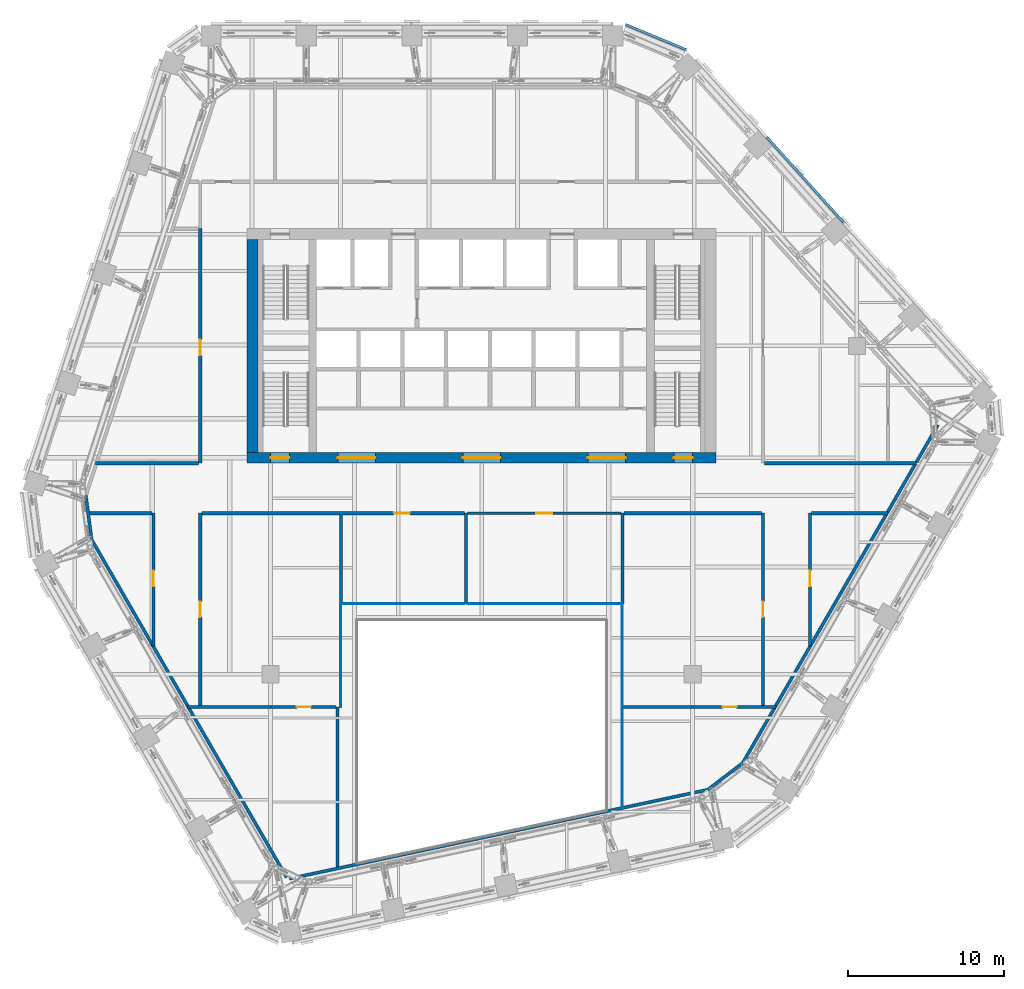
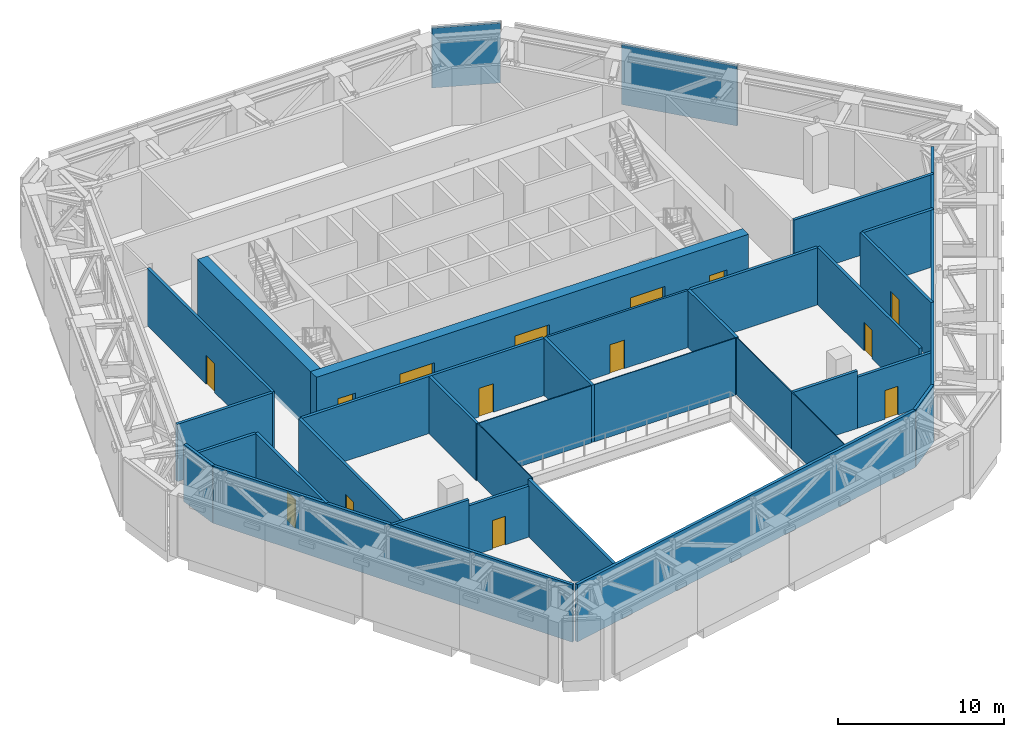
# One storey, part 16 of 26: 32 walls, 14 doors, 2 plates, 14 openings, 2 elements without a shape of their own.
"""IFC4 building model written with IfcOpenShell, lengths in metres."""

from ifc_helpers import new_model, si_unit, direction, frame, frame_2d, origin, origin_2d, place, context, subcontext, project, spatial, rectangle, extrude, material, layer, layer_set, type_object, element, fill, aggregate, save


model = new_model("IFC4")

# Units and contexts
model_context = context("Model", 3, precision=1e-05, world=origin(), true_north=direction((0.0, 1.0)))
body_context = subcontext(model_context, "Body", "Model", "MODEL_VIEW")
ifc_project = project(units=[si_unit("LENGTHUNIT", "METRE"), si_unit("AREAUNIT", "SQUARE_METRE"), si_unit("VOLUMEUNIT", "CUBIC_METRE"), si_unit("PLANEANGLEUNIT", "RADIAN"), si_unit("MASSUNIT", "GRAM", prefix="KILO")], contexts=[model_context])

# Site, building, storey
site_placement = place(None, origin())
site = spatial("IfcSite", under=ifc_project, at=site_placement, CompositionType="ELEMENT")
building_placement = place(site_placement, origin())
building = spatial("IfcBuilding", under=site, at=building_placement, Name="Isthmus Gate Tower", CompositionType="ELEMENT")
storey_placement = place(building_placement, frame((0.0, 0.0, 207.300048828125)))
storey = spatial("IfcBuildingStorey", under=building, at=storey_placement, Name="L52", CompositionType="ELEMENT", Elevation=207.300048828125)

# Curtain wall, plate
ifc_material_1 = material(Name="Aluminium, pale champagne anodised", Category="aluminium")
ifc_layer_1 = layer(ifc_material_1, 0.199951171875)
ifc_layer_set_1 = layer_set([ifc_layer_1], Name="CW-2 LOUVRE CURTAIN WALL 200 DEEP")
curtain_wall_type = type_object("IfcCurtainWallType", Name="CW-2 LOUVRE CURTAIN WALL 200 DEEP", PredefinedType="NOTDEFINED", material=ifc_layer_set_1)
curtain_wall_1_placement = place(storey_placement, origin())
curtain_wall_1 = element("IfcCurtainWall", 1, at=curtain_wall_1_placement, inside=storey, type_object=curtain_wall_type, Name="CW-2 NE L52", PredefinedType="NOTDEFINED")
ifc_material_2 = material(Name="Aluminium louvre blades, pale champagne anodised", Category="aluminium")
ifc_layer_2 = layer(ifc_material_2, 0.159912109375)
ifc_layer_set_2 = layer_set([ifc_layer_2], Name="CW-2 LOUVRE PANEL 160")
plate_type = type_object("IfcPlateType", Name="CW-2 LOUVRE PANEL 160", PredefinedType="CURTAIN_PANEL", material=ifc_layer_set_2)
plate_1_placement = place(storey_placement, frame((20.68896484375, 18.1328125, 0.0), z_axis=(0.0, 0.0, 1.0), x_axis=(-0.669130606359, 0.743144825477, 0.0)))
plate_1 = element("IfcPlate", 2, at=plate_1_placement, type_object=plate_type, Name="CW-2 louvre panel", PredefinedType="CURTAIN_PANEL", context=body_context, shape_type="SweptSolid", body=[
    extrude(rectangle(XDim=7.330810546875, YDim=0.159912109375, at=origin_2d()), origin(), (0.0, 0.0, 1.0), 4.389892578125),
])
aggregate(curtain_wall_1, [plate_1])

curtain_wall_2_placement = place(storey_placement, origin())
curtain_wall_2 = element("IfcCurtainWall", 3, at=curtain_wall_2_placement, inside=storey, type_object=curtain_wall_type, Name="CW-2 NE-N L52", PredefinedType="NOTDEFINED")
plate_2_placement = place(storey_placement, frame((11.13037109375, 27.26025390625, 0.0), z_axis=(0.0, 0.0, 1.0), x_axis=(-0.923353128387, 0.383951820282, 0.0)))
plate_2 = element("IfcPlate", 4, at=plate_2_placement, type_object=plate_type, Name="CW-2 louvre panel", PredefinedType="CURTAIN_PANEL", context=body_context, shape_type="SweptSolid", body=[
    extrude(rectangle(XDim=4.181396484375, YDim=0.159912109375, at=origin_2d()), origin(), (0.0, 0.0, 1.0), 4.389892578125),
])
aggregate(curtain_wall_2, [plate_2])

# Wall
ifc_material_3 = material(Name="Concrete f'c 30 MPa", Category="concrete")
ifc_layer_3 = layer(ifc_material_3, 0.199951171875)
ifc_layer_set_3 = layer_set([ifc_layer_3], Name="Fire-rated block wall 200")
wall_type_1 = type_object("IfcWallType", Name="Fire-rated block wall 200", PredefinedType="PARTITIONING", material=ifc_layer_set_3)
wall_1_placement = place(storey_placement, frame((-18.818359375, -15.60009765625, 0.0), z_axis=(0.0, 0.0, 1.0), x_axis=(1.0, 0.0, 0.0)))
element("IfcWall", 5, at=wall_1_placement, inside=storey, type_object=wall_type_1, Name="Fire-rated wall", PredefinedType="PARTITIONING", context=body_context, shape_type="SweptSolid", body=[
    extrude(rectangle(XDim=5.345458984375, YDim=0.199951171875, at=frame_2d((2.6728515625, 0.0))), origin(), (0.0, 0.0, 1.0), 4.199951171875),
])

# Wall, opening, door
wall_2_placement = place(storey_placement, frame((-13.472900390625, -15.60009765625, 0.0), z_axis=(0.0, 0.0, 1.0), x_axis=(1.0, 0.0, 0.0)))
wall_2 = element("IfcWall", 6, at=wall_2_placement, inside=storey, type_object=wall_type_1, Name="Fire-rated wall", PredefinedType="PARTITIONING", context=body_context, shape_type="SweptSolid", body=[
    extrude(rectangle(XDim=4.156982421875, YDim=0.199951171875, at=frame_2d((2.07861328125, 0.0))), origin(), (0.0, 0.0, 1.0), 3.749267578125),
])
opening_1_placement = place(wall_2_placement, frame((1.64990234375, 0.0, 0.0)))
opening_1 = element("IfcOpeningElement", 7, at=opening_1_placement, cuts=wall_2, Name="Opening DP52-14", PredefinedType="OPENING", context=body_context, shape_type="SweptSolid", body=[
    extrude(rectangle(XDim=0.89990234375, YDim=2.10009765625, at=frame_2d((0.449951171875, 1.050048828125))), frame((0.0, 0.10986328125, 0.0), z_axis=(0.0, -1.0, 0.0), x_axis=(1.0, 0.0, 0.0)), (0.0, 0.0, 1.0), 0.219970703125),
])
ifc_material_4 = material(Name="Steel fire door with intumescent seals", Category="steel")
door_type_1 = type_object("IfcDoorType", Name="Fire door 900 x 2100", OperationType="SINGLE_SWING_LEFT", PredefinedType="DOOR", material=ifc_material_4)
door_1_placement = place(opening_1_placement, origin())
door_1 = element("IfcDoor", 8, at=door_1_placement, inside=storey, type_object=door_type_1, Name="Door DP52-14", OperationType="SINGLE_SWING_LEFT", OverallHeight=2.10009765625, OverallWidth=0.89990234375, PredefinedType="DOOR", context=body_context, shape_type="SweptSolid", body=[
    extrude(rectangle(XDim=0.89990234375, YDim=2.10009765625, at=frame_2d((0.449951171875, 1.050048828125))), frame((0.0, 0.02490234375, 0.0), z_axis=(0.0, -1.0, 0.0), x_axis=(1.0, 0.0, 0.0)), (0.0, 0.0, 1.0), 0.050048828125),
])
fill(opening_1, door_1)

# Wall
wall_3_placement = place(storey_placement, frame((9.030029296875, -15.60009765625, 0.0), z_axis=(0.0, 0.0, 1.0), x_axis=(1.0, 0.0, 0.0)))
element("IfcWall", 9, at=wall_3_placement, inside=storey, type_object=wall_type_1, Name="Fire-rated wall", PredefinedType="PARTITIONING", context=body_context, shape_type="SweptSolid", body=[
    extrude(rectangle(XDim=4.484375, YDim=0.199951171875, at=frame_2d((2.2421875, 0.0))), origin(), (0.0, 0.0, 1.0), 4.199951171875),
])

# Wall, opening, door
wall_4_placement = place(storey_placement, frame((13.514404296875, -15.60009765625, 0.0), z_axis=(0.0, 0.0, 1.0), x_axis=(1.0, 0.0, 0.0)))
wall_4 = element("IfcWall", 10, at=wall_4_placement, inside=storey, type_object=wall_type_1, Name="Fire-rated wall", PredefinedType="PARTITIONING", context=body_context, shape_type="SweptSolid", body=[
    extrude(rectangle(XDim=5.303955078125, YDim=0.199951171875, at=frame_2d((2.65185546875, 0.0))), origin(), (0.0, 0.0, 1.0), 3.749267578125),
])
opening_2_placement = place(wall_4_placement, frame((1.89990234375, 0.0, 0.0)))
opening_2 = element("IfcOpeningElement", 11, at=opening_2_placement, cuts=wall_4, Name="Opening DP52-15", PredefinedType="OPENING", context=body_context, shape_type="SweptSolid", body=[
    extrude(rectangle(XDim=0.89990234375, YDim=2.10009765625, at=frame_2d((0.449951171875, 1.050048828125))), frame((0.0, 0.10986328125, 0.0), z_axis=(0.0, -1.0, 0.0), x_axis=(1.0, 0.0, 0.0)), (0.0, 0.0, 1.0), 0.219970703125),
])
door_2_placement = place(opening_2_placement, origin())
door_2 = element("IfcDoor", 12, at=door_2_placement, inside=storey, type_object=door_type_1, Name="Door DP52-15", OperationType="SINGLE_SWING_LEFT", OverallHeight=2.10009765625, OverallWidth=0.89990234375, PredefinedType="DOOR", context=body_context, shape_type="SweptSolid", body=[
    extrude(rectangle(XDim=0.89990234375, YDim=2.10009765625, at=frame_2d((0.449951171875, 1.050048828125))), frame((0.0, 0.02490234375, 0.0), z_axis=(0.0, -1.0, 0.0), x_axis=(1.0, 0.0, 0.0)), (0.0, 0.0, 1.0), 0.050048828125),
])
fill(opening_2, door_2)

# Wall
wall_5_placement = place(storey_placement, frame((-25.07080078125, -3.199951171875, 0.0), z_axis=(0.0, 0.0, 1.0), x_axis=(1.0, 0.0, 0.0)))
element("IfcWall", 13, at=wall_5_placement, inside=storey, type_object=wall_type_1, Name="Fire-rated wall", PredefinedType="PARTITIONING", context=body_context, shape_type="SweptSolid", body=[
    extrude(rectangle(XDim=3.970703125, YDim=0.199951171875, at=frame_2d((1.9853515625, 0.0))), origin(), (0.0, 0.0, 1.0), 4.199951171875),
])

# Wall, opening, door
wall_6_placement = place(storey_placement, frame((-17.89990234375, -3.199951171875, 0.0), z_axis=(0.0, 0.0, 1.0), x_axis=(1.0, 0.0, 0.0)))
wall_6 = element("IfcWall", 14, at=wall_6_placement, inside=storey, type_object=wall_type_1, Name="Fire-rated wall", PredefinedType="PARTITIONING", context=body_context, shape_type="SweptSolid", body=[
    extrude(rectangle(XDim=16.7998046875, YDim=0.199951171875, at=frame_2d((8.39990234375, 0.0))), origin(), (0.0, 0.0, 1.0), 4.199951171875),
])
opening_3_placement = place(wall_6_placement, frame((12.300048828125, 0.0, 0.0)))
opening_3 = element("IfcOpeningElement", 15, at=opening_3_placement, cuts=wall_6, Name="Opening DP52-08", PredefinedType="OPENING", context=body_context, shape_type="SweptSolid", body=[
    extrude(rectangle(XDim=1.0, YDim=2.10009765625, at=frame_2d((0.5, 1.050048828125))), frame((0.0, 0.10986328125, 0.0), z_axis=(0.0, -1.0, 0.0), x_axis=(1.0, 0.0, 0.0)), (0.0, 0.0, 1.0), 0.219970703125),
])
ifc_material_5 = material(Name="Steel fire door with intumescent seals", Category="steel")
door_type_2 = type_object("IfcDoorType", Name="Fire door 1000 x 2100", OperationType="SINGLE_SWING_LEFT", PredefinedType="DOOR", material=ifc_material_5)
door_3_placement = place(opening_3_placement, origin())
door_3 = element("IfcDoor", 16, at=door_3_placement, inside=storey, type_object=door_type_2, Name="Door DP52-08", OperationType="SINGLE_SWING_LEFT", OverallHeight=2.10009765625, OverallWidth=1.0, PredefinedType="DOOR", context=body_context, shape_type="SweptSolid", body=[
    extrude(rectangle(XDim=1.0, YDim=2.10009765625, at=frame_2d((0.5, 1.050048828125))), frame((0.0, 0.02490234375, 0.0), z_axis=(0.0, -1.0, 0.0), x_axis=(1.0, 0.0, 0.0)), (0.0, 0.0, 1.0), 0.050048828125),
])
fill(opening_3, door_3)

# Walls
wall_7_placement = place(storey_placement, frame((9.10009765625, -3.199951171875, 0.0), z_axis=(0.0, 0.0, 1.0), x_axis=(1.0, 0.0, 0.0)))
element("IfcWall", 17, at=wall_7_placement, inside=storey, type_object=wall_type_1, Name="Fire-rated wall", PredefinedType="PARTITIONING", context=body_context, shape_type="SweptSolid", body=[
    extrude(rectangle(XDim=8.7998046875, YDim=0.199951171875, at=frame_2d((4.39990234375, 0.0))), origin(), (0.0, 0.0, 1.0), 4.199951171875),
])
wall_8_placement = place(storey_placement, frame((21.10009765625, -3.199951171875, 0.0), z_axis=(0.0, 0.0, 1.0), x_axis=(1.0, 0.0, 0.0)))
element("IfcWall", 18, at=wall_8_placement, inside=storey, type_object=wall_type_1, Name="Fire-rated wall", PredefinedType="PARTITIONING", context=body_context, shape_type="SweptSolid", body=[
    extrude(rectangle(XDim=4.87744140625, YDim=0.199951171875, at=frame_2d((2.438720703125, 0.0))), origin(), (0.0, 0.0, 1.0), 4.199951171875),
])
wall_9_placement = place(storey_placement, frame((-24.709228515625, 0.0, 0.0), z_axis=(0.0, 0.0, 1.0), x_axis=(1.0, 0.0, 0.0)))
element("IfcWall", 19, at=wall_9_placement, inside=storey, type_object=wall_type_1, Name="Fire-rated wall", PredefinedType="PARTITIONING", context=body_context, shape_type="SweptSolid", body=[
    extrude(rectangle(XDim=6.609130859375, YDim=0.199951171875, at=frame_2d((3.3046875, 0.0))), origin(), (0.0, 0.0, 1.0), 4.199951171875),
])
wall_10_placement = place(storey_placement, frame((18.10009765625, 0.0, 0.0), z_axis=(0.0, 0.0, 1.0), x_axis=(1.0, 0.0, 0.0)))
element("IfcWall", 20, at=wall_10_placement, inside=storey, type_object=wall_type_1, Name="Fire-rated wall", PredefinedType="PARTITIONING", context=body_context, shape_type="SweptSolid", body=[
    extrude(rectangle(XDim=9.72509765625, YDim=0.199951171875, at=frame_2d((4.862548828125, 0.0))), origin(), (0.0, 0.0, 1.0), 4.199951171875),
])

# Wall, opening, door
wall_11_placement = place(storey_placement, frame((-21.0, -11.697021484375, 0.0), z_axis=(0.0, 0.0, 1.0), x_axis=(0.0, 1.0, 0.0)))
wall_11 = element("IfcWall", 21, at=wall_11_placement, inside=storey, type_object=wall_type_1, Name="Fire-rated wall", PredefinedType="PARTITIONING", context=body_context, shape_type="SweptSolid", body=[
    extrude(rectangle(XDim=8.4970703125, YDim=0.199951171875, at=frame_2d((4.24853515625, 0.0))), origin(), (0.0, 0.0, 1.0), 4.199951171875),
])
opening_4_placement = place(wall_11_placement, frame((3.820068359375, 0.0, 0.0)))
opening_4 = element("IfcOpeningElement", 22, at=opening_4_placement, cuts=wall_11, Name="Opening DP52-10", PredefinedType="OPENING", context=body_context, shape_type="SweptSolid", body=[
    extrude(rectangle(XDim=1.0, YDim=2.10009765625, at=frame_2d((0.5, 1.050048828125))), frame((0.0, 0.10986328125, 0.0), z_axis=(0.0, -1.0, 0.0), x_axis=(1.0, 0.0, 0.0)), (0.0, 0.0, 1.0), 0.219970703125),
])
door_4_placement = place(opening_4_placement, origin())
door_4 = element("IfcDoor", 23, at=door_4_placement, inside=storey, type_object=door_type_2, Name="Door DP52-10", OperationType="SINGLE_SWING_LEFT", OverallHeight=2.10009765625, OverallWidth=1.0, PredefinedType="DOOR", context=body_context, shape_type="SweptSolid", body=[
    extrude(rectangle(XDim=1.0, YDim=2.10009765625, at=frame_2d((0.5, 1.050048828125))), frame((0.0, 0.02490234375, 0.0), z_axis=(0.0, -1.0, 0.0), x_axis=(1.0, 0.0, 0.0)), (0.0, 0.0, 1.0), 0.050048828125),
])
fill(opening_4, door_4)

wall_12_placement = place(storey_placement, frame((-18.0, -15.5, 0.0), z_axis=(0.0, 0.0, 1.0), x_axis=(0.0, 1.0, 0.0)))
wall_12 = element("IfcWall", 24, at=wall_12_placement, inside=storey, type_object=wall_type_1, Name="Fire-rated wall", PredefinedType="PARTITIONING", context=body_context, shape_type="SweptSolid", body=[
    extrude(rectangle(XDim=12.300048828125, YDim=0.199951171875, at=frame_2d((6.14990234375, 0.0))), origin(), (0.0, 0.0, 1.0), 4.199951171875),
])
opening_5_placement = place(wall_12_placement, frame((5.64990234375, 0.0, 0.0)))
opening_5 = element("IfcOpeningElement", 25, at=opening_5_placement, cuts=wall_12, Name="Opening DP52-11", PredefinedType="OPENING", context=body_context, shape_type="SweptSolid", body=[
    extrude(rectangle(XDim=1.0, YDim=2.10009765625, at=frame_2d((0.5, 1.050048828125))), frame((0.0, 0.10986328125, 0.0), z_axis=(0.0, -1.0, 0.0), x_axis=(1.0, 0.0, 0.0)), (0.0, 0.0, 1.0), 0.219970703125),
])
door_5_placement = place(opening_5_placement, origin())
door_5 = element("IfcDoor", 26, at=door_5_placement, inside=storey, type_object=door_type_2, Name="Door DP52-11", OperationType="SINGLE_SWING_LEFT", OverallHeight=2.10009765625, OverallWidth=1.0, PredefinedType="DOOR", context=body_context, shape_type="SweptSolid", body=[
    extrude(rectangle(XDim=1.0, YDim=2.10009765625, at=frame_2d((0.5, 1.050048828125))), frame((0.0, 0.02490234375, 0.0), z_axis=(0.0, -1.0, 0.0), x_axis=(1.0, 0.0, 0.0)), (0.0, 0.0, 1.0), 0.050048828125),
])
fill(opening_5, door_5)

wall_13_placement = place(storey_placement, frame((-18.0, 0.0, 0.0), z_axis=(0.0, 0.0, 1.0), x_axis=(0.0, 1.0, 0.0)))
wall_13 = element("IfcWall", 27, at=wall_13_placement, inside=storey, type_object=wall_type_1, Name="Fire-rated wall", PredefinedType="PARTITIONING", context=body_context, shape_type="SweptSolid", body=[
    extrude(rectangle(XDim=15.0, YDim=0.199951171875, at=frame_2d((7.5, 0.0))), origin(), (0.0, 0.0, 1.0), 4.199951171875),
])
opening_6_placement = place(wall_13_placement, frame((6.89990234375, 0.0, 0.0)))
opening_6 = element("IfcOpeningElement", 28, at=opening_6_placement, cuts=wall_13, Name="Opening DP52-05", PredefinedType="OPENING", context=body_context, shape_type="SweptSolid", body=[
    extrude(rectangle(XDim=1.0, YDim=2.10009765625, at=frame_2d((0.5, 1.050048828125))), frame((0.0, 0.10986328125, 0.0), z_axis=(0.0, -1.0, 0.0), x_axis=(1.0, 0.0, 0.0)), (0.0, 0.0, 1.0), 0.219970703125),
])
door_6_placement = place(opening_6_placement, origin())
door_6 = element("IfcDoor", 29, at=door_6_placement, inside=storey, type_object=door_type_2, Name="Door DP52-05", OperationType="SINGLE_SWING_LEFT", OverallHeight=2.10009765625, OverallWidth=1.0, PredefinedType="DOOR", context=body_context, shape_type="SweptSolid", body=[
    extrude(rectangle(XDim=1.0, YDim=2.10009765625, at=frame_2d((0.5, 1.050048828125))), frame((0.0, 0.02490234375, 0.0), z_axis=(0.0, -1.0, 0.0), x_axis=(1.0, 0.0, 0.0)), (0.0, 0.0, 1.0), 0.050048828125),
])
fill(opening_6, door_6)

# Walls
wall_14_placement = place(storey_placement, frame((-9.216064453125, -25.818359375, 0.0), z_axis=(0.0, 0.0, 1.0), x_axis=(0.0, 1.0, 0.0)))
element("IfcWall", 30, at=wall_14_placement, inside=storey, type_object=wall_type_1, Name="Fire-rated wall", PredefinedType="PARTITIONING", context=body_context, shape_type="SweptSolid", body=[
    extrude(rectangle(XDim=10.21728515625, YDim=0.199951171875, at=frame_2d((5.108642578125, 0.0))), origin(), (0.0, 0.0, 1.0), 4.199951171875),
])
wall_15_placement = place(storey_placement, frame((-9.0, -9.0, 0.0), z_axis=(0.0, 0.0, 1.0), x_axis=(0.0, 1.0, 0.0)))
element("IfcWall", 31, at=wall_15_placement, inside=storey, type_object=wall_type_1, Name="Fire-rated wall", PredefinedType="PARTITIONING", context=body_context, shape_type="SweptSolid", body=[
    extrude(rectangle(XDim=5.699951171875, YDim=0.199951171875, at=frame_2d((2.85009765625, 0.0))), origin(), (0.0, 0.0, 1.0), 4.199951171875),
])
for number, where, z_axis, x_axis, name in (
    (32, (-1.0, -9.0, 0.0), (0.0, 0.0, 1.0), (0.0, 1.0, 0.0), "Fire-rated wall"),
    (33, (9.0, -9.0, 0.0), (0.0, 0.0, 1.0), (0.0, 1.0, 0.0), "Fire-rated wall"),
):
    element("IfcWall", number, at=place(storey_placement, frame(where, z_axis=z_axis, x_axis=x_axis)), inside=storey, type_object=wall_type_1, Name=name, PredefinedType="PARTITIONING", context=body_context, shape_type="SweptSolid", body=[
        extrude(rectangle(XDim=5.800048828125, YDim=0.199951171875, at=frame_2d((2.89990234375, 0.0))), origin(), (0.0, 0.0, 1.0), 4.199951171875),
    ])

# Wall, opening, door
wall_16_placement = place(storey_placement, frame((18.0, -15.5, 0.0), z_axis=(0.0, 0.0, 1.0), x_axis=(0.0, 1.0, 0.0)))
wall_16 = element("IfcWall", 34, at=wall_16_placement, inside=storey, type_object=wall_type_1, Name="Fire-rated wall", PredefinedType="PARTITIONING", context=body_context, shape_type="SweptSolid", body=[
    extrude(rectangle(XDim=12.300048828125, YDim=0.199951171875, at=frame_2d((6.14990234375, 0.0))), origin(), (0.0, 0.0, 1.0), 4.199951171875),
])
opening_7_placement = place(wall_16_placement, frame((5.64990234375, 0.0, 0.0)))
opening_7 = element("IfcOpeningElement", 35, at=opening_7_placement, cuts=wall_16, Name="Opening DP52-12", PredefinedType="OPENING", context=body_context, shape_type="SweptSolid", body=[
    extrude(rectangle(XDim=1.0, YDim=2.10009765625, at=frame_2d((0.5, 1.050048828125))), frame((0.0, 0.10986328125, 0.0), z_axis=(0.0, -1.0, 0.0), x_axis=(1.0, 0.0, 0.0)), (0.0, 0.0, 1.0), 0.219970703125),
])
door_7_placement = place(opening_7_placement, origin())
door_7 = element("IfcDoor", 36, at=door_7_placement, inside=storey, type_object=door_type_2, Name="Door DP52-12", OperationType="SINGLE_SWING_LEFT", OverallHeight=2.10009765625, OverallWidth=1.0, PredefinedType="DOOR", context=body_context, shape_type="SweptSolid", body=[
    extrude(rectangle(XDim=1.0, YDim=2.10009765625, at=frame_2d((0.5, 1.050048828125))), frame((0.0, 0.02490234375, 0.0), z_axis=(0.0, -1.0, 0.0), x_axis=(1.0, 0.0, 0.0)), (0.0, 0.0, 1.0), 0.050048828125),
])
fill(opening_7, door_7)

wall_17_placement = place(storey_placement, frame((21.0, -11.697021484375, 0.0), z_axis=(0.0, 0.0, 1.0), x_axis=(0.0, 1.0, 0.0)))
wall_17 = element("IfcWall", 37, at=wall_17_placement, inside=storey, type_object=wall_type_1, Name="Fire-rated wall", PredefinedType="PARTITIONING", context=body_context, shape_type="SweptSolid", body=[
    extrude(rectangle(XDim=8.4970703125, YDim=0.199951171875, at=frame_2d((4.24853515625, 0.0))), origin(), (0.0, 0.0, 1.0), 4.199951171875),
])
opening_8_placement = place(wall_17_placement, frame((3.820068359375, 0.0, 0.0)))
opening_8 = element("IfcOpeningElement", 38, at=opening_8_placement, cuts=wall_17, Name="Opening DP52-13", PredefinedType="OPENING", context=body_context, shape_type="SweptSolid", body=[
    extrude(rectangle(XDim=1.0, YDim=2.10009765625, at=frame_2d((0.5, 1.050048828125))), frame((0.0, 0.10986328125, 0.0), z_axis=(0.0, -1.0, 0.0), x_axis=(1.0, 0.0, 0.0)), (0.0, 0.0, 1.0), 0.219970703125),
])
door_8_placement = place(opening_8_placement, origin())
door_8 = element("IfcDoor", 39, at=door_8_placement, inside=storey, type_object=door_type_2, Name="Door DP52-13", OperationType="SINGLE_SWING_LEFT", OverallHeight=2.10009765625, OverallWidth=1.0, PredefinedType="DOOR", context=body_context, shape_type="SweptSolid", body=[
    extrude(rectangle(XDim=1.0, YDim=2.10009765625, at=frame_2d((0.5, 1.050048828125))), frame((0.0, 0.02490234375, 0.0), z_axis=(0.0, -1.0, 0.0), x_axis=(1.0, 0.0, 0.0)), (0.0, 0.0, 1.0), 0.050048828125),
])
fill(opening_8, door_8)

# Walls
wall_18_placement = place(storey_placement, frame((29.18359375, 2.44775390625, 0.0), z_axis=(0.0, 0.0, 1.0), x_axis=(-0.499996482004, -0.866027434891, 0.0)))
element("IfcWall", 40, at=wall_18_placement, inside=storey, type_object=wall_type_1, Name="Fire-rated wall", PredefinedType="PARTITIONING", context=body_context, shape_type="SweptSolid", body=[
    extrude(rectangle(XDim=24.961669921875, YDim=0.199951171875, at=frame_2d((12.48095703125, 0.0))), origin(), (0.0, 0.0, 1.0), 4.199951171875),
])
wall_19_placement = place(storey_placement, frame((16.702880859375, -19.169677734375, 0.0), z_axis=(0.0, 0.0, 1.0), x_axis=(-0.794164311505, -0.607703090605, 0.0)))
element("IfcWall", 41, at=wall_19_placement, inside=storey, type_object=wall_type_1, Name="Fire-rated wall", PredefinedType="PARTITIONING", context=body_context, shape_type="SweptSolid", body=[
    extrude(rectangle(XDim=2.82958984375, YDim=0.199951171875, at=frame_2d((1.414794921875, 0.0))), origin(), (0.0, 0.0, 1.0), 4.199951171875),
])
wall_20_placement = place(storey_placement, frame((14.455810546875, -20.88916015625, 0.0), z_axis=(0.0, 0.0, 1.0), x_axis=(-0.978147962207, -0.207909990215, 0.0)))
element("IfcWall", 42, at=wall_20_placement, inside=storey, type_object=wall_type_1, Name="Fire-rated wall", PredefinedType="PARTITIONING", context=body_context, shape_type="SweptSolid", body=[
    extrude(rectangle(XDim=27.35546875, YDim=0.199951171875, at=frame_2d((13.677734375, 0.0))), origin(), (0.0, 0.0, 1.0), 4.199951171875),
])
wall_21_placement = place(storey_placement, frame((-12.47216796875, -26.497802734375, 0.0), z_axis=(0.0, 0.0, 1.0), x_axis=(-0.499996482004, 0.866027434891, 0.0)))
element("IfcWall", 43, at=wall_21_placement, inside=storey, type_object=wall_type_1, Name="Fire-rated wall", PredefinedType="PARTITIONING", context=body_context, shape_type="SweptSolid", body=[
    extrude(rectangle(XDim=24.961669921875, YDim=0.199951171875, at=frame_2d((12.48095703125, 0.0))), origin(), (0.0, 0.0, 1.0), 4.199951171875),
])
wall_22_placement = place(storey_placement, frame((-24.952880859375, -4.88037109375, 0.0), z_axis=(0.0, 0.0, 1.0), x_axis=(-0.129173182048, 0.991622049493, 0.0)))
element("IfcWall", 44, at=wall_22_placement, inside=storey, type_object=wall_type_1, Name="Fire-rated wall", PredefinedType="PARTITIONING", context=body_context, shape_type="SweptSolid", body=[
    extrude(rectangle(XDim=2.829345703125, YDim=0.199951171875, at=frame_2d((1.41455078125, 0.0))), origin(), (0.0, 0.0, 1.0), 4.199951171875),
])
ifc_material_6 = material(Name="Fire-rated laminated glass in steel frame", Category="steel")
ifc_layer_4 = layer(ifc_material_6, 0.06005859375)
ifc_layer_set_4 = layer_set([ifc_layer_4], Name="Fire-rated glazed atrium screen 60")
wall_type_2 = type_object("IfcWallType", Name="Fire-rated glazed atrium screen 60", PredefinedType="PARTITIONING", material=ifc_layer_set_4)
wall_23_placement = place(storey_placement, frame((-8.89990234375, -9.0, 0.0), z_axis=(0.0, 0.0, 1.0), x_axis=(1.0, 0.0, 0.0)))
element("IfcWall", 45, at=wall_23_placement, inside=storey, type_object=wall_type_2, Name="Atrium screen", PredefinedType="PARTITIONING", context=body_context, shape_type="SweptSolid", body=[
    extrude(rectangle(XDim=7.7998046875, YDim=0.06005859375, at=frame_2d((3.89990234375, 0.0))), origin(), (0.0, 0.0, 1.0), 4.199951171875),
])
wall_24_placement = place(storey_placement, frame((-0.89990234375, -9.0, 0.0), z_axis=(0.0, 0.0, 1.0), x_axis=(1.0, 0.0, 0.0)))
element("IfcWall", 46, at=wall_24_placement, inside=storey, type_object=wall_type_2, Name="Atrium screen", PredefinedType="PARTITIONING", context=body_context, shape_type="SweptSolid", body=[
    extrude(rectangle(XDim=9.7998046875, YDim=0.06005859375, at=frame_2d((4.89990234375, 0.0))), origin(), (0.0, 0.0, 1.0), 4.199951171875),
])
wall_25_placement = place(storey_placement, frame((-9.0, -15.60009765625, 0.0), z_axis=(0.0, 0.0, 1.0), x_axis=(0.0, 1.0, 0.0)))
element("IfcWall", 47, at=wall_25_placement, inside=storey, type_object=wall_type_2, Name="Atrium screen", PredefinedType="PARTITIONING", context=body_context, shape_type="SweptSolid", body=[
    extrude(rectangle(XDim=6.59912109375, YDim=0.06005859375, at=frame_2d((3.299560546875, 0.0))), origin(), (0.0, 0.0, 1.0), 4.199951171875),
])
wall_26_placement = place(storey_placement, frame((9.0, -21.946533203125, 0.0), z_axis=(0.0, 0.0, 1.0), x_axis=(0.0, 1.0, 0.0)))
element("IfcWall", 48, at=wall_26_placement, inside=storey, type_object=wall_type_2, Name="Atrium screen", PredefinedType="PARTITIONING", context=body_context, shape_type="SweptSolid", body=[
    extrude(rectangle(XDim=6.345458984375, YDim=0.06005859375, at=frame_2d((3.1728515625, 0.0))), origin(), (0.0, 0.0, 1.0), 4.199951171875),
])
wall_27_placement = place(storey_placement, frame((9.0, -15.59912109375, 0.0), z_axis=(0.0, 0.0, 1.0), x_axis=(0.0, 1.0, 0.0)))
element("IfcWall", 49, at=wall_27_placement, inside=storey, type_object=wall_type_2, Name="Atrium screen", PredefinedType="PARTITIONING", context=body_context, shape_type="SweptSolid", body=[
    extrude(rectangle(XDim=6.59814453125, YDim=0.06005859375, at=frame_2d((3.299072265625, 0.0))), origin(), (0.0, 0.0, 1.0), 4.199951171875),
])

# Wall, opening, door
ifc_material_7 = material(Name="Gypsum board on cold-formed steel studs", Category="steel")
ifc_layer_5 = layer(ifc_material_7, 0.14990234375)
ifc_layer_set_5 = layer_set([ifc_layer_5])
wall_type_3 = type_object("IfcWallType", Name="Partition 150 gypsum board on steel studs", PredefinedType="PARTITIONING", material=ifc_layer_set_5)
wall_28_placement = place(storey_placement, frame((-0.89990234375, -3.199951171875, 0.0), z_axis=(0.0, 0.0, 1.0), x_axis=(1.0, 0.0, 0.0)))
wall_28 = element("IfcWall", 50, at=wall_28_placement, inside=storey, type_object=wall_type_3, Name="Partition", PredefinedType="PARTITIONING", context=body_context, shape_type="SweptSolid", body=[
    extrude(rectangle(XDim=9.7998046875, YDim=0.14990234375, at=frame_2d((4.89990234375, 0.0))), origin(), (0.0, 0.0, 1.0), 4.199951171875),
])
opening_9_placement = place(wall_28_placement, frame((4.39990234375, 0.0, 0.0)))
opening_9 = element("IfcOpeningElement", 51, at=opening_9_placement, cuts=wall_28, Name="Opening DP52-09", PredefinedType="OPENING", context=body_context, shape_type="SweptSolid", body=[
    extrude(rectangle(XDim=1.0, YDim=2.10009765625, at=frame_2d((0.5, 1.050048828125))), frame((0.0, 0.0849609375, 0.0), z_axis=(0.0, -1.0, 0.0), x_axis=(1.0, 0.0, 0.0)), (0.0, 0.0, 1.0), 0.169921875),
])
ifc_material_8 = material(Name="Hollow metal frame with solid-core timber leaf", Category="wood")
door_type_3 = type_object("IfcDoorType", Name="Single swing door 1000 x 2100", OperationType="SINGLE_SWING_LEFT", PredefinedType="DOOR", material=ifc_material_8)
door_9_placement = place(opening_9_placement, origin())
door_9 = element("IfcDoor", 52, at=door_9_placement, inside=storey, type_object=door_type_3, Name="Door DP52-09", OperationType="SINGLE_SWING_LEFT", OverallHeight=2.10009765625, OverallWidth=1.0, PredefinedType="DOOR", context=body_context, shape_type="SweptSolid", body=[
    extrude(rectangle(XDim=1.0, YDim=2.10009765625, at=frame_2d((0.5, 1.050048828125))), frame((0.0, 0.02490234375, 0.0), z_axis=(0.0, -1.0, 0.0), x_axis=(1.0, 0.0, 0.0)), (0.0, 0.0, 1.0), 0.050048828125),
])
fill(opening_9, door_9)

# Wall, openings, doors
ifc_material_9 = material(Name="Concrete f'c 60 MPa", Category="concrete")
ifc_layer_6 = layer(ifc_material_9, 0.699951171875)
ifc_layer_set_6 = layer_set([ifc_layer_6], Name="RC CORE WALL 700 F'C 60")
wall_type_4 = type_object("IfcWallType", Name="RC CORE WALL 700 F'C 60", PredefinedType="SOLIDWALL", material=ifc_layer_set_6)
wall_29_placement = place(storey_placement, frame((-15.0, 0.35009765625, -0.300048828125), z_axis=(0.0, 0.0, 1.0), x_axis=(1.0, 0.0, 0.0)))
wall_29 = element("IfcWall", 53, at=wall_29_placement, inside=storey, type_object=wall_type_4, Name="str-corewall-L52-S", PredefinedType="SOLIDWALL", context=body_context, shape_type="SweptSolid", body=[
    extrude(rectangle(XDim=30.0, YDim=0.699951171875, at=frame_2d((15.0, 0.0))), origin(), (0.0, 0.0, 1.0), 4.5),
])
opening_10_placement = place(wall_29_placement, frame((5.800048828125, 0.0, 0.300048828125)))
opening_10 = element("IfcOpeningElement", 54, at=opening_10_placement, cuts=wall_29, Name="Opening DC-A07-05", PredefinedType="OPENING", context=body_context, shape_type="SweptSolid", body=[
    extrude(rectangle(XDim=2.39990234375, YDim=2.39990234375, at=frame_2d((1.199951171875, 1.199951171875))), frame((0.0, 0.35986328125, 0.0), z_axis=(0.0, -1.0, 0.0), x_axis=(1.0, 0.0, 0.0)), (0.0, 0.0, 1.0), 0.719970703125),
])
opening_11_placement = place(wall_29_placement, frame((13.800048828125, 0.0, 0.300048828125)))
opening_11 = element("IfcOpeningElement", 55, at=opening_11_placement, cuts=wall_29, Name="Opening DC-A07-06", PredefinedType="OPENING", context=body_context, shape_type="SweptSolid", body=[
    extrude(rectangle(XDim=2.39990234375, YDim=2.39990234375, at=frame_2d((1.199951171875, 1.199951171875))), frame((0.0, 0.35986328125, 0.0), z_axis=(0.0, -1.0, 0.0), x_axis=(1.0, 0.0, 0.0)), (0.0, 0.0, 1.0), 0.719970703125),
])
opening_12_placement = place(wall_29_placement, frame((21.800048828125, 0.0, 0.300048828125)))
opening_12 = element("IfcOpeningElement", 56, at=opening_12_placement, cuts=wall_29, Name="Opening DC-A07-07", PredefinedType="OPENING", context=body_context, shape_type="SweptSolid", body=[
    extrude(rectangle(XDim=2.39990234375, YDim=2.39990234375, at=frame_2d((1.199951171875, 1.199951171875))), frame((0.0, 0.35986328125, 0.0), z_axis=(0.0, -1.0, 0.0), x_axis=(1.0, 0.0, 0.0)), (0.0, 0.0, 1.0), 0.719970703125),
])
opening_13_placement = place(wall_29_placement, frame((1.5, 0.0, 0.300048828125)))
opening_13 = element("IfcOpeningElement", 57, at=opening_13_placement, cuts=wall_29, Name="Opening DC-A07-12", PredefinedType="OPENING", context=body_context, shape_type="SweptSolid", body=[
    extrude(rectangle(XDim=1.199951171875, YDim=2.10009765625, at=frame_2d((0.60009765625, 1.050048828125))), frame((0.0, 0.35986328125, 0.0), z_axis=(0.0, -1.0, 0.0), x_axis=(1.0, 0.0, 0.0)), (0.0, 0.0, 1.0), 0.719970703125),
])
opening_14_placement = place(wall_29_placement, frame((27.300048828125, 0.0, 0.300048828125)))
opening_14 = element("IfcOpeningElement", 58, at=opening_14_placement, cuts=wall_29, Name="Opening DC-A07-13", PredefinedType="OPENING", context=body_context, shape_type="SweptSolid", body=[
    extrude(rectangle(XDim=1.199951171875, YDim=2.10009765625, at=frame_2d((0.60009765625, 1.050048828125))), frame((0.0, 0.35986328125, 0.0), z_axis=(0.0, -1.0, 0.0), x_axis=(1.0, 0.0, 0.0)), (0.0, 0.0, 1.0), 0.719970703125),
])
ifc_material_10 = material(Name="Laminated safety glass in steel frame, fire-rated", Category="steel")
door_type_4 = type_object("IfcDoorType", Name="LOBBY ENTRANCE FIRE DOOR 2400 X 2400 60 MIN", OperationType="DOUBLE_DOOR_DOUBLE_SWING", PredefinedType="DOOR", material=ifc_material_10)
door_10_placement = place(opening_10_placement, origin())
door_10 = element("IfcDoor", 59, at=door_10_placement, inside=storey, type_object=door_type_4, Name="Lobby Entrance PS-W", OperationType="DOUBLE_DOOR_DOUBLE_SWING", OverallHeight=2.39990234375, OverallWidth=2.39990234375, PredefinedType="DOOR", context=body_context, shape_type="SweptSolid", body=[
    extrude(rectangle(XDim=2.39990234375, YDim=2.39990234375, at=frame_2d((1.199951171875, 1.199951171875))), frame((0.0, 0.02490234375, 0.0), z_axis=(0.0, -1.0, 0.0), x_axis=(1.0, 0.0, 0.0)), (0.0, 0.0, 1.0), 0.050048828125),
])
fill(opening_10, door_10)
door_11_placement = place(opening_11_placement, origin())
door_11 = element("IfcDoor", 60, at=door_11_placement, inside=storey, type_object=door_type_4, Name="Lobby Entrance PS-C", OperationType="DOUBLE_DOOR_DOUBLE_SWING", OverallHeight=2.39990234375, OverallWidth=2.39990234375, PredefinedType="DOOR", context=body_context, shape_type="SweptSolid", body=[
    extrude(rectangle(XDim=2.39990234375, YDim=2.39990234375, at=frame_2d((1.199951171875, 1.199951171875))), frame((0.0, 0.02490234375, 0.0), z_axis=(0.0, -1.0, 0.0), x_axis=(1.0, 0.0, 0.0)), (0.0, 0.0, 1.0), 0.050048828125),
])
fill(opening_11, door_11)
door_12_placement = place(opening_12_placement, origin())
door_12 = element("IfcDoor", 61, at=door_12_placement, inside=storey, type_object=door_type_4, Name="Lobby Entrance PS-E", OperationType="DOUBLE_DOOR_DOUBLE_SWING", OverallHeight=2.39990234375, OverallWidth=2.39990234375, PredefinedType="DOOR", context=body_context, shape_type="SweptSolid", body=[
    extrude(rectangle(XDim=2.39990234375, YDim=2.39990234375, at=frame_2d((1.199951171875, 1.199951171875))), frame((0.0, 0.02490234375, 0.0), z_axis=(0.0, -1.0, 0.0), x_axis=(1.0, 0.0, 0.0)), (0.0, 0.0, 1.0), 0.050048828125),
])
fill(opening_12, door_12)
ifc_material_11 = material(Name="Steel door leaf, fire-rated", Category="steel")
door_type_5 = type_object("IfcDoorType", Name="STAIR FIRE DOOR 1200 X 2100 90 MIN", OperationType="SINGLE_SWING_LEFT", PredefinedType="DOOR", material=ifc_material_11)
door_13_placement = place(opening_13_placement, origin())
door_13 = element("IfcDoor", 62, at=door_13_placement, inside=storey, type_object=door_type_5, Name="Exit Stair 7 Door", OperationType="SINGLE_SWING_LEFT", OverallHeight=2.10009765625, OverallWidth=1.199951171875, PredefinedType="DOOR", context=body_context, shape_type="SweptSolid", body=[
    extrude(rectangle(XDim=1.199951171875, YDim=2.10009765625, at=frame_2d((0.60009765625, 1.050048828125))), frame((0.0, 0.02490234375, 0.0), z_axis=(0.0, -1.0, 0.0), x_axis=(1.0, 0.0, 0.0)), (0.0, 0.0, 1.0), 0.050048828125),
])
fill(opening_13, door_13)
door_14_placement = place(opening_14_placement, origin())
door_14 = element("IfcDoor", 63, at=door_14_placement, inside=storey, type_object=door_type_5, Name="Exit Stair 8 Door", OperationType="SINGLE_SWING_RIGHT", OverallHeight=2.10009765625, OverallWidth=1.199951171875, PredefinedType="DOOR", context=body_context, shape_type="SweptSolid", body=[
    extrude(rectangle(XDim=1.199951171875, YDim=2.10009765625, at=frame_2d((0.60009765625, 1.050048828125))), frame((0.0, 0.02490234375, 0.0), z_axis=(0.0, -1.0, 0.0), x_axis=(1.0, 0.0, 0.0)), (0.0, 0.0, 1.0), 0.050048828125),
])
fill(opening_14, door_14)

# Wall
wall_30_placement = place(storey_placement, frame((-14.64990234375, 0.699951171875, -0.300048828125), z_axis=(0.0, 0.0, 1.0), x_axis=(0.0, 1.0, 0.0)))
element("IfcWall", 64, at=wall_30_placement, inside=storey, type_object=wall_type_4, Name="str-corewall-L52-W", PredefinedType="SOLIDWALL", context=body_context, shape_type="SweptSolid", body=[
    extrude(rectangle(XDim=13.60009765625, YDim=0.699951171875, at=frame_2d((6.800048828125, 0.0))), origin(), (0.0, 0.0, 1.0), 4.5),
])

save(model, "model.ifc")
